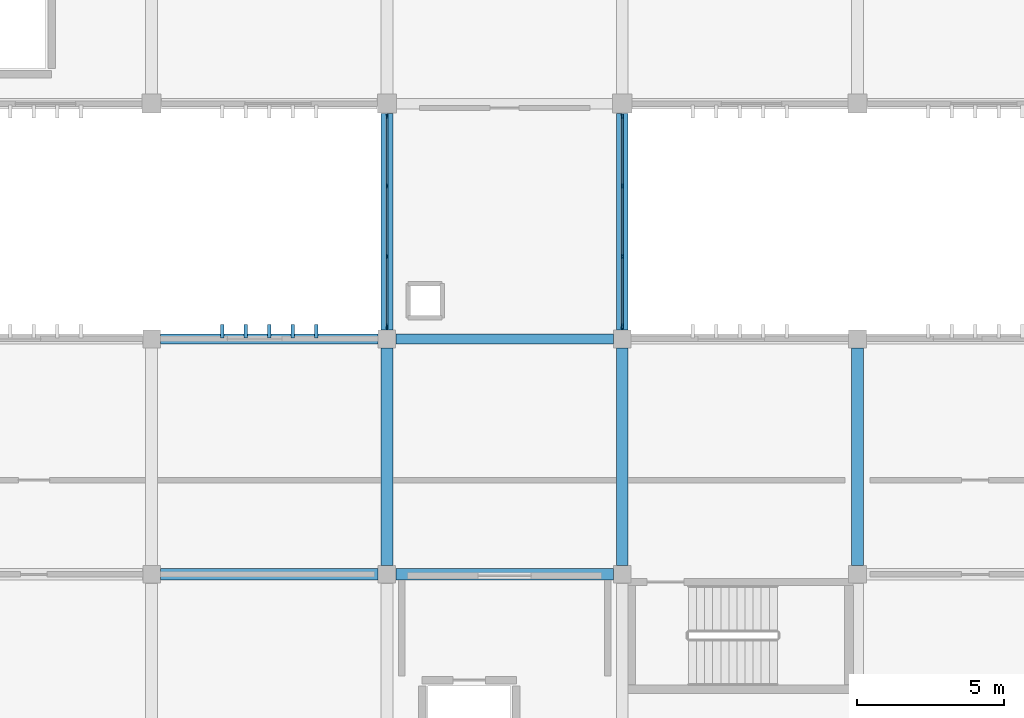
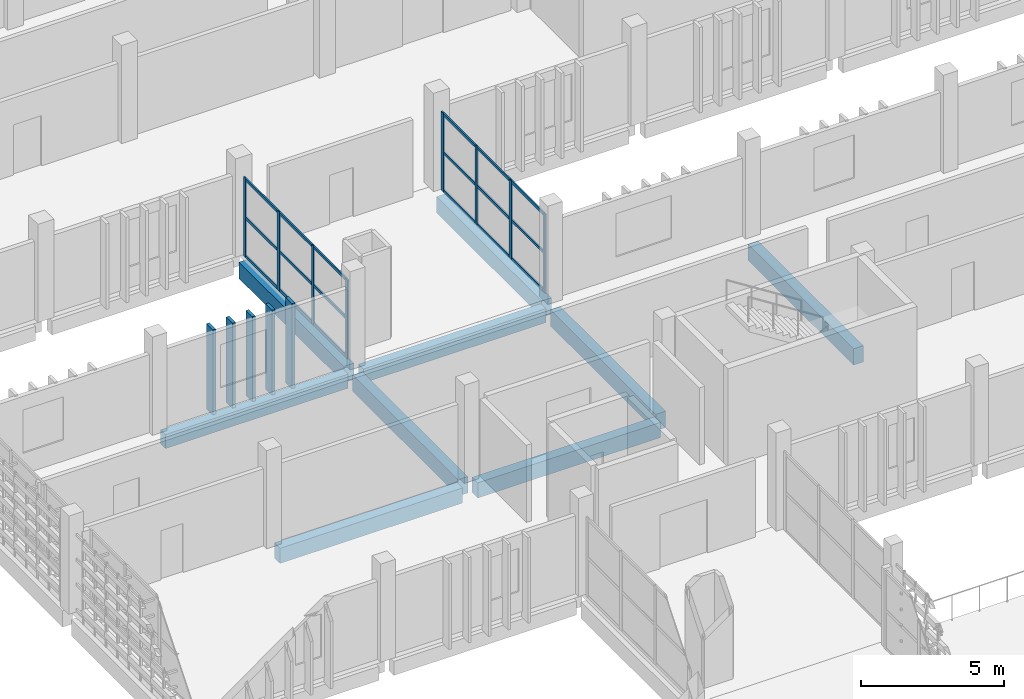
# One storey, part 32 of 63: 31 members, 9 beams, 2 elements without a shape of their own.
"""IFC4 building model written with IfcOpenShell, lengths in metres."""

from ifc_helpers import new_model, si_unit, direction, frame, origin, origin_2d, place, context, subcontext, project, spatial, rectangle, extrude, material, layer, layer_set, material_profile, profile_set, type_object, element, aggregate, save


model = new_model("IFC4")

# Units and contexts
model_context = context("Model", 3, precision=1e-05, world=origin(), true_north=direction((0.0, 1.0)))
body_context = subcontext(model_context, "Body", "Model", "MODEL_VIEW")
ifc_project = project(units=[si_unit("LENGTHUNIT", "METRE"), si_unit("AREAUNIT", "SQUARE_METRE"), si_unit("VOLUMEUNIT", "CUBIC_METRE"), si_unit("PLANEANGLEUNIT", "RADIAN"), si_unit("MASSUNIT", "GRAM", prefix="KILO")], contexts=[model_context])

# Site, building, storey
site_placement = place(None, origin())
site = spatial("IfcSite", under=ifc_project, at=site_placement, CompositionType="ELEMENT")
building_placement = place(site_placement, origin())
building = spatial("IfcBuilding", under=site, at=building_placement, Name="Jelvoka-Kovrelna Polytechnic", CompositionType="ELEMENT")
storey_placement = place(building_placement, frame((0.0, 0.0, 18.0)))
storey = spatial("IfcBuildingStorey", under=building, at=storey_placement, Name="L05", CompositionType="ELEMENT", Elevation=18.0)

# Beams
ifc_material_1 = material(Name="Concrete C40/50", Category="concrete")
ifc_material_profile_1 = material_profile(ifc_material_1, rectangle(XDim=0.39990234375, YDim=0.64990234375, at=origin_2d()), Name="RC 400x650")
ifc_profile_set_1 = profile_set([ifc_material_profile_1], Name="Concrete C40/50")
beam_type_1 = type_object("IfcBeamType", Name="Beam_RC_400x650", PredefinedType="BEAM", material=ifc_profile_set_1)
for number, where, z_axis, x_axis, name in (
    (1, (136.304931640625, 40.0, -0.574951171875), (1.0, 0.0, 0.0), (0.0, 1.0, 0.0), "L05 beam 1469"),
    (2, (144.304931640625, 40.0, -0.574951171875), (1.0, 0.0, 0.0), (0.0, 1.0, 0.0), "L05 beam 1470"),
):
    element("IfcBeam", number, at=place(storey_placement, frame(where, z_axis=z_axis, x_axis=x_axis)), inside=storey, type_object=beam_type_1, Name=name, PredefinedType="BEAM", context=body_context, shape_type="SweptSolid", body=[
        extrude(rectangle(XDim=0.39990234375, YDim=0.64990234375, at=origin_2d()), origin(), (0.0, 0.0, 1.0), 7.39013671875),
    ])
ifc_material_2 = material(Name="Concrete C40/50", Category="concrete")
ifc_material_profile_2 = material_profile(ifc_material_2, rectangle(XDim=0.39990234375, YDim=0.699951171875, at=origin_2d()), Name="RC 400x700")
ifc_profile_set_2 = profile_set([ifc_material_profile_2], Name="Concrete C40/50")
beam_type_2 = type_object("IfcBeamType", Name="Beam_RC_400x700", PredefinedType="BEAM", material=ifc_profile_set_2)
for number, where, z_axis, x_axis, name in (
    (3, (144.0, 40.304931640625, -0.60009765625), (0.0, 1.0, 0.0), (-1.0, 0.0, 0.0), "L05 beam 1490"),
    (4, (152.0, 40.304931640625, -0.60009765625), (0.0, 1.0, 0.0), (-1.0, 0.0, 0.0), "L05 beam 1492"),
    (5, (160.0, 40.304931640625, -0.60009765625), (0.0, 1.0, 0.0), (-1.0, 0.0, 0.0), "L05 beam 1494"),
):
    element("IfcBeam", number, at=place(storey_placement, frame(where, z_axis=z_axis, x_axis=x_axis)), inside=storey, type_object=beam_type_2, Name=name, PredefinedType="BEAM", context=body_context, shape_type="SweptSolid", body=[
        extrude(rectangle(XDim=0.39990234375, YDim=0.699951171875, at=origin_2d()), origin(), (0.0, 0.0, 1.0), 7.39013671875),
    ])
for number, where, z_axis, x_axis, name in (
    (6, (144.0, 48.304931640625, -0.60009765625), (0.0, 1.0, 0.0), (-1.0, 0.0, 0.0), "L05 beam 1612"),
    (7, (152.0, 48.304931640625, -0.60009765625), (0.0, 1.0, 0.0), (-1.0, 0.0, 0.0), "L05 beam 1613"),
):
    element("IfcBeam", number, at=place(storey_placement, frame(where, z_axis=z_axis, x_axis=x_axis)), inside=storey, type_object=beam_type_2, Name=name, PredefinedType="BEAM", context=body_context, shape_type="SweptSolid", body=[
        extrude(rectangle(XDim=0.39990234375, YDim=0.699951171875, at=origin_2d()), origin(), (0.0, 0.0, 1.0), 7.364990234375),
    ])

# Members
ifc_material_3 = material(Name="Precast concrete C40/50", Category="concrete")
ifc_material_profile_3 = material_profile(ifc_material_3, rectangle(XDim=0.1201171875, YDim=0.449951171875, at=origin_2d()), Name="PC 120x450")
ifc_profile_set_3 = profile_set([ifc_material_profile_3], Name="Precast concrete C40/50")
member_type_1 = type_object("IfcMemberType", Name="Louvre_Fin_120x450", PredefinedType="USERDEFINED", material=ifc_profile_set_3)
for number, where, z_axis, x_axis, name in (
    (8, (138.39990234375, 48.264892578125, -0.27001953125), (0.0, 0.0, 1.0), (1.0, 0.0, 0.0), "L05 B2E north vertical solar louvre fin 1021"),
    (9, (139.199951171875, 48.264892578125, -0.27001953125), (0.0, 0.0, 1.0), (1.0, 0.0, 0.0), "L05 B2E north vertical solar louvre fin 1022"),
    (10, (140.0, 48.264892578125, -0.27001953125), (0.0, 0.0, 1.0), (1.0, 0.0, 0.0), "L05 B2E north vertical solar louvre fin 1023"),
    (11, (140.800048828125, 48.264892578125, -0.27001953125), (0.0, 0.0, 1.0), (1.0, 0.0, 0.0), "L05 B2E north vertical solar louvre fin 1024"),
    (12, (141.60009765625, 48.264892578125, -0.27001953125), (0.0, 0.0, 1.0), (1.0, 0.0, 0.0), "L05 B2E north vertical solar louvre fin 1025"),
):
    element("IfcMember", number, at=place(storey_placement, frame(where, z_axis=z_axis, x_axis=x_axis)), inside=storey, type_object=member_type_1, Name=name, ObjectType="SUNSHADE", PredefinedType="USERDEFINED", context=body_context, shape_type="SweptSolid", body=[
        extrude(rectangle(XDim=0.1201171875, YDim=0.449951171875, at=origin_2d()), origin(), (0.0, 0.0, 1.0), 3.655029296875),
    ])

# Curtain wall, members
ifc_material_4 = material(Name="Anodised aluminium 6063-T6", Category="aluminium")
ifc_layer = layer(ifc_material_4, 0.159912109375)
ifc_layer_set = layer_set([ifc_layer], Name="Anodised aluminium 6063-T6")
curtain_wall_type = type_object("IfcCurtainWallType", Name="CW_LinkBridge", PredefinedType="NOTDEFINED", material=ifc_layer_set)
curtain_wall_1_placement = place(storey_placement, origin())
curtain_wall_1 = element("IfcCurtainWall", 13, at=curtain_wall_1_placement, inside=storey, type_object=curtain_wall_type, Name="L05 glazed curtain wall 144", PredefinedType="NOTDEFINED")
ifc_material_5 = material(Name="Anodised aluminium 6063-T6", Category="aluminium")
ifc_material_profile_4 = material_profile(ifc_material_5, rectangle(XDim=0.06005859375, YDim=0.159912109375, at=origin_2d()), Name="ALU 60x160")
ifc_profile_set_4 = profile_set([ifc_material_profile_4], Name="Anodised aluminium 6063-T6")
member_type_2 = type_object("IfcMemberType", Name="Mullion_M-04", PredefinedType="MULLION", material=ifc_profile_set_4)
member_1_placement = place(storey_placement, frame((144.0, 48.429931640625, -0.02490234375), z_axis=(0.0, 0.0, 1.0), x_axis=(-1.0, 0.0, 0.0)))
member_1 = element("IfcMember", 14, at=member_1_placement, type_object=member_type_2, Name="CW-04 mullion 1", PredefinedType="MULLION", context=body_context, shape_type="SweptSolid", body=[
    extrude(rectangle(XDim=0.06005859375, YDim=0.159912109375, at=origin_2d()), origin(), (0.0, 0.0, 1.0), 3.385009765625),
])
member_2_placement = place(storey_placement, frame((144.0, 50.800048828125, -0.02490234375), z_axis=(0.0, 0.0, 1.0), x_axis=(-1.0, 0.0, 0.0)))
member_2 = element("IfcMember", 15, at=member_2_placement, type_object=member_type_2, Name="CW-04 mullion 2", PredefinedType="MULLION", context=body_context, shape_type="SweptSolid", body=[
    extrude(rectangle(XDim=0.06005859375, YDim=0.159912109375, at=origin_2d()), origin(), (0.0, 0.0, 1.0), 3.385009765625),
])
member_3_placement = place(storey_placement, frame((144.0, 53.199951171875, -0.02490234375), z_axis=(0.0, 0.0, 1.0), x_axis=(-1.0, 0.0, 0.0)))
member_3 = element("IfcMember", 16, at=member_3_placement, type_object=member_type_2, Name="CW-04 mullion 3", PredefinedType="MULLION", context=body_context, shape_type="SweptSolid", body=[
    extrude(rectangle(XDim=0.06005859375, YDim=0.159912109375, at=origin_2d()), origin(), (0.0, 0.0, 1.0), 3.385009765625),
])
member_4_placement = place(storey_placement, frame((144.0, 55.570068359375, -0.02490234375), z_axis=(0.0, 0.0, 1.0), x_axis=(-1.0, 0.0, 0.0)))
member_4 = element("IfcMember", 17, at=member_4_placement, type_object=member_type_2, Name="CW-04 mullion 4", PredefinedType="MULLION", context=body_context, shape_type="SweptSolid", body=[
    extrude(rectangle(XDim=0.06005859375, YDim=0.159912109375, at=origin_2d()), origin(), (0.0, 0.0, 1.0), 3.385009765625),
])

curtain_wall_2_placement = place(storey_placement, origin())
curtain_wall_2 = element("IfcCurtainWall", 18, at=curtain_wall_2_placement, inside=storey, type_object=curtain_wall_type, Name="L05 glazed curtain wall 145", PredefinedType="NOTDEFINED")
member_5_placement = place(storey_placement, frame((152.0, 55.570068359375, -0.02490234375), z_axis=(0.0, 0.0, 1.0), x_axis=(1.0, 0.0, 0.0)))
member_5 = element("IfcMember", 19, at=member_5_placement, type_object=member_type_2, Name="CW-04 mullion 1", PredefinedType="MULLION", context=body_context, shape_type="SweptSolid", body=[
    extrude(rectangle(XDim=0.06005859375, YDim=0.159912109375, at=origin_2d()), origin(), (0.0, 0.0, 1.0), 3.385009765625),
])
member_6_placement = place(storey_placement, frame((152.0, 53.199951171875, -0.02490234375), z_axis=(0.0, 0.0, 1.0), x_axis=(1.0, 0.0, 0.0)))
member_6 = element("IfcMember", 20, at=member_6_placement, type_object=member_type_2, Name="CW-04 mullion 2", PredefinedType="MULLION", context=body_context, shape_type="SweptSolid", body=[
    extrude(rectangle(XDim=0.06005859375, YDim=0.159912109375, at=origin_2d()), origin(), (0.0, 0.0, 1.0), 3.385009765625),
])
member_7_placement = place(storey_placement, frame((152.0, 50.800048828125, -0.02490234375), z_axis=(0.0, 0.0, 1.0), x_axis=(1.0, 0.0, 0.0)))
member_7 = element("IfcMember", 21, at=member_7_placement, type_object=member_type_2, Name="CW-04 mullion 3", PredefinedType="MULLION", context=body_context, shape_type="SweptSolid", body=[
    extrude(rectangle(XDim=0.06005859375, YDim=0.159912109375, at=origin_2d()), origin(), (0.0, 0.0, 1.0), 3.385009765625),
])
member_8_placement = place(storey_placement, frame((152.0, 48.429931640625, -0.02490234375), z_axis=(0.0, 0.0, 1.0), x_axis=(1.0, 0.0, 0.0)))
member_8 = element("IfcMember", 22, at=member_8_placement, type_object=member_type_2, Name="CW-04 mullion 4", PredefinedType="MULLION", context=body_context, shape_type="SweptSolid", body=[
    extrude(rectangle(XDim=0.06005859375, YDim=0.159912109375, at=origin_2d()), origin(), (0.0, 0.0, 1.0), 3.385009765625),
])

# Beams
ifc_material_6 = material(Name="Concrete C40/50", Category="concrete")
ifc_material_profile_5 = material_profile(ifc_material_6, rectangle(XDim=0.35009765625, YDim=0.60009765625, at=origin_2d()), Name="RC 350x600")
ifc_profile_set_5 = profile_set([ifc_material_profile_5], Name="Concrete C40/50")
beam_type_3 = type_object("IfcBeamType", Name="Spandrel_RC_350x600", PredefinedType="SPANDREL", material=ifc_profile_set_5)
for number, where, z_axis, x_axis, name in (
    (23, (136.304931640625, 48.0, -0.550048828125), (1.0, 0.0, 0.0), (0.0, 1.0, 0.0), "L05 beam 1477"),
    (24, (144.304931640625, 48.0, -0.550048828125), (1.0, 0.0, 0.0), (0.0, 1.0, 0.0), "L05 beam 1478"),
):
    element("IfcBeam", number, at=place(storey_placement, frame(where, z_axis=z_axis, x_axis=x_axis)), inside=storey, type_object=beam_type_3, Name=name, PredefinedType="SPANDREL", context=body_context, shape_type="SweptSolid", body=[
        extrude(rectangle(XDim=0.35009765625, YDim=0.60009765625, at=origin_2d()), origin(), (0.0, 0.0, 1.0), 7.39013671875),
    ])

# Member
ifc_material_7 = material(Name="Anodised aluminium 6063-T6", Category="aluminium")
ifc_material_profile_6 = material_profile(ifc_material_7, rectangle(XDim=0.06005859375, YDim=0.1201171875, at=origin_2d()), Name="ALU 60x120")
ifc_profile_set_6 = profile_set([ifc_material_profile_6], Name="Anodised aluminium 6063-T6")
member_type_3 = type_object("IfcMemberType", Name="Transom_T-04", PredefinedType="USERDEFINED", material=ifc_profile_set_6)
member_9_placement = place(storey_placement, frame((144.0, 48.4599609375, 0.030029296875), z_axis=(0.0, 1.0, 0.0), x_axis=(-1.0, 0.0, 0.0)))
member_9 = element("IfcMember", 25, at=member_9_placement, type_object=member_type_3, Name="CW-04 transom 1.1", ObjectType="TRANSOM", PredefinedType="USERDEFINED", context=body_context, shape_type="SweptSolid", body=[
    extrude(rectangle(XDim=0.06005859375, YDim=0.1201171875, at=origin_2d()), origin(), (0.0, 0.0, 1.0), 2.31005859375),
])

member_10_placement = place(storey_placement, frame((144.0, 48.4599609375, 1.66748046875), z_axis=(0.0, 1.0, 0.0), x_axis=(-1.0, 0.0, 0.0)))
member_10 = element("IfcMember", 26, at=member_10_placement, type_object=member_type_3, Name="CW-04 transom 1.2", ObjectType="TRANSOM", PredefinedType="USERDEFINED", context=body_context, shape_type="SweptSolid", body=[
    extrude(rectangle(XDim=0.06005859375, YDim=0.1201171875, at=origin_2d()), origin(), (0.0, 0.0, 1.0), 2.31005859375),
])

member_11_placement = place(storey_placement, frame((144.0, 48.4599609375, 3.304931640625), z_axis=(0.0, 1.0, 0.0), x_axis=(-1.0, 0.0, 0.0)))
member_11 = element("IfcMember", 27, at=member_11_placement, type_object=member_type_3, Name="CW-04 transom 1.3", ObjectType="TRANSOM", PredefinedType="USERDEFINED", context=body_context, shape_type="SweptSolid", body=[
    extrude(rectangle(XDim=0.06005859375, YDim=0.1201171875, at=origin_2d()), origin(), (0.0, 0.0, 1.0), 2.31005859375),
])

member_12_placement = place(storey_placement, frame((144.0, 50.830078125, 0.030029296875), z_axis=(0.0, 1.0, 0.0), x_axis=(-1.0, 0.0, 0.0)))
member_12 = element("IfcMember", 28, at=member_12_placement, type_object=member_type_3, Name="CW-04 transom 2.1", ObjectType="TRANSOM", PredefinedType="USERDEFINED", context=body_context, shape_type="SweptSolid", body=[
    extrude(rectangle(XDim=0.06005859375, YDim=0.1201171875, at=origin_2d()), origin(), (0.0, 0.0, 1.0), 2.33984375),
])

member_13_placement = place(storey_placement, frame((144.0, 50.830078125, 1.66748046875), z_axis=(0.0, 1.0, 0.0), x_axis=(-1.0, 0.0, 0.0)))
member_13 = element("IfcMember", 29, at=member_13_placement, type_object=member_type_3, Name="CW-04 transom 2.2", ObjectType="TRANSOM", PredefinedType="USERDEFINED", context=body_context, shape_type="SweptSolid", body=[
    extrude(rectangle(XDim=0.06005859375, YDim=0.1201171875, at=origin_2d()), origin(), (0.0, 0.0, 1.0), 2.33984375),
])

member_14_placement = place(storey_placement, frame((144.0, 50.830078125, 3.304931640625), z_axis=(0.0, 1.0, 0.0), x_axis=(-1.0, 0.0, 0.0)))
member_14 = element("IfcMember", 30, at=member_14_placement, type_object=member_type_3, Name="CW-04 transom 2.3", ObjectType="TRANSOM", PredefinedType="USERDEFINED", context=body_context, shape_type="SweptSolid", body=[
    extrude(rectangle(XDim=0.06005859375, YDim=0.1201171875, at=origin_2d()), origin(), (0.0, 0.0, 1.0), 2.33984375),
])

member_15_placement = place(storey_placement, frame((144.0, 53.22998046875, 0.030029296875), z_axis=(0.0, 1.0, 0.0), x_axis=(-1.0, 0.0, 0.0)))
member_15 = element("IfcMember", 31, at=member_15_placement, type_object=member_type_3, Name="CW-04 transom 3.1", ObjectType="TRANSOM", PredefinedType="USERDEFINED", context=body_context, shape_type="SweptSolid", body=[
    extrude(rectangle(XDim=0.06005859375, YDim=0.1201171875, at=origin_2d()), origin(), (0.0, 0.0, 1.0), 2.31005859375),
])

member_16_placement = place(storey_placement, frame((144.0, 53.22998046875, 1.66748046875), z_axis=(0.0, 1.0, 0.0), x_axis=(-1.0, 0.0, 0.0)))
member_16 = element("IfcMember", 32, at=member_16_placement, type_object=member_type_3, Name="CW-04 transom 3.2", ObjectType="TRANSOM", PredefinedType="USERDEFINED", context=body_context, shape_type="SweptSolid", body=[
    extrude(rectangle(XDim=0.06005859375, YDim=0.1201171875, at=origin_2d()), origin(), (0.0, 0.0, 1.0), 2.31005859375),
])

member_17_placement = place(storey_placement, frame((144.0, 53.22998046875, 3.304931640625), z_axis=(0.0, 1.0, 0.0), x_axis=(-1.0, 0.0, 0.0)))
member_17 = element("IfcMember", 33, at=member_17_placement, type_object=member_type_3, Name="CW-04 transom 3.3", ObjectType="TRANSOM", PredefinedType="USERDEFINED", context=body_context, shape_type="SweptSolid", body=[
    extrude(rectangle(XDim=0.06005859375, YDim=0.1201171875, at=origin_2d()), origin(), (0.0, 0.0, 1.0), 2.31005859375),
])

aggregate(curtain_wall_1, [member_1, member_2, member_3, member_4, member_9, member_10, member_11, member_12, member_13, member_14, member_15, member_16, member_17])

member_18_placement = place(storey_placement, frame((152.0, 55.5400390625, 0.030029296875), z_axis=(0.0, -1.0, 0.0), x_axis=(1.0, 0.0, 0.0)))
member_18 = element("IfcMember", 34, at=member_18_placement, type_object=member_type_3, Name="CW-04 transom 1.1", ObjectType="TRANSOM", PredefinedType="USERDEFINED", context=body_context, shape_type="SweptSolid", body=[
    extrude(rectangle(XDim=0.06005859375, YDim=0.1201171875, at=origin_2d()), origin(), (0.0, 0.0, 1.0), 2.31005859375),
])

member_19_placement = place(storey_placement, frame((152.0, 55.5400390625, 1.66748046875), z_axis=(0.0, -1.0, 0.0), x_axis=(1.0, 0.0, 0.0)))
member_19 = element("IfcMember", 35, at=member_19_placement, type_object=member_type_3, Name="CW-04 transom 1.2", ObjectType="TRANSOM", PredefinedType="USERDEFINED", context=body_context, shape_type="SweptSolid", body=[
    extrude(rectangle(XDim=0.06005859375, YDim=0.1201171875, at=origin_2d()), origin(), (0.0, 0.0, 1.0), 2.31005859375),
])

member_20_placement = place(storey_placement, frame((152.0, 55.5400390625, 3.304931640625), z_axis=(0.0, -1.0, 0.0), x_axis=(1.0, 0.0, 0.0)))
member_20 = element("IfcMember", 36, at=member_20_placement, type_object=member_type_3, Name="CW-04 transom 1.3", ObjectType="TRANSOM", PredefinedType="USERDEFINED", context=body_context, shape_type="SweptSolid", body=[
    extrude(rectangle(XDim=0.06005859375, YDim=0.1201171875, at=origin_2d()), origin(), (0.0, 0.0, 1.0), 2.31005859375),
])

member_21_placement = place(storey_placement, frame((152.0, 53.169921875, 0.030029296875), z_axis=(0.0, -1.0, 0.0), x_axis=(1.0, 0.0, 0.0)))
member_21 = element("IfcMember", 37, at=member_21_placement, type_object=member_type_3, Name="CW-04 transom 2.1", ObjectType="TRANSOM", PredefinedType="USERDEFINED", context=body_context, shape_type="SweptSolid", body=[
    extrude(rectangle(XDim=0.06005859375, YDim=0.1201171875, at=origin_2d()), origin(), (0.0, 0.0, 1.0), 2.33984375),
])

member_22_placement = place(storey_placement, frame((152.0, 53.169921875, 1.66748046875), z_axis=(0.0, -1.0, 0.0), x_axis=(1.0, 0.0, 0.0)))
member_22 = element("IfcMember", 38, at=member_22_placement, type_object=member_type_3, Name="CW-04 transom 2.2", ObjectType="TRANSOM", PredefinedType="USERDEFINED", context=body_context, shape_type="SweptSolid", body=[
    extrude(rectangle(XDim=0.06005859375, YDim=0.1201171875, at=origin_2d()), origin(), (0.0, 0.0, 1.0), 2.33984375),
])

member_23_placement = place(storey_placement, frame((152.0, 53.169921875, 3.304931640625), z_axis=(0.0, -1.0, 0.0), x_axis=(1.0, 0.0, 0.0)))
member_23 = element("IfcMember", 39, at=member_23_placement, type_object=member_type_3, Name="CW-04 transom 2.3", ObjectType="TRANSOM", PredefinedType="USERDEFINED", context=body_context, shape_type="SweptSolid", body=[
    extrude(rectangle(XDim=0.06005859375, YDim=0.1201171875, at=origin_2d()), origin(), (0.0, 0.0, 1.0), 2.33984375),
])

member_24_placement = place(storey_placement, frame((152.0, 50.77001953125, 0.030029296875), z_axis=(0.0, -1.0, 0.0), x_axis=(1.0, 0.0, 0.0)))
member_24 = element("IfcMember", 40, at=member_24_placement, type_object=member_type_3, Name="CW-04 transom 3.1", ObjectType="TRANSOM", PredefinedType="USERDEFINED", context=body_context, shape_type="SweptSolid", body=[
    extrude(rectangle(XDim=0.06005859375, YDim=0.1201171875, at=origin_2d()), origin(), (0.0, 0.0, 1.0), 2.31005859375),
])

member_25_placement = place(storey_placement, frame((152.0, 50.77001953125, 1.66748046875), z_axis=(0.0, -1.0, 0.0), x_axis=(1.0, 0.0, 0.0)))
member_25 = element("IfcMember", 41, at=member_25_placement, type_object=member_type_3, Name="CW-04 transom 3.2", ObjectType="TRANSOM", PredefinedType="USERDEFINED", context=body_context, shape_type="SweptSolid", body=[
    extrude(rectangle(XDim=0.06005859375, YDim=0.1201171875, at=origin_2d()), origin(), (0.0, 0.0, 1.0), 2.31005859375),
])

member_26_placement = place(storey_placement, frame((152.0, 50.77001953125, 3.304931640625), z_axis=(0.0, -1.0, 0.0), x_axis=(1.0, 0.0, 0.0)))
member_26 = element("IfcMember", 42, at=member_26_placement, type_object=member_type_3, Name="CW-04 transom 3.3", ObjectType="TRANSOM", PredefinedType="USERDEFINED", context=body_context, shape_type="SweptSolid", body=[
    extrude(rectangle(XDim=0.06005859375, YDim=0.1201171875, at=origin_2d()), origin(), (0.0, 0.0, 1.0), 2.31005859375),
])

aggregate(curtain_wall_2, [member_5, member_6, member_7, member_8, member_18, member_19, member_20, member_21, member_22, member_23, member_24, member_25, member_26])

save(model, "model.ifc")
